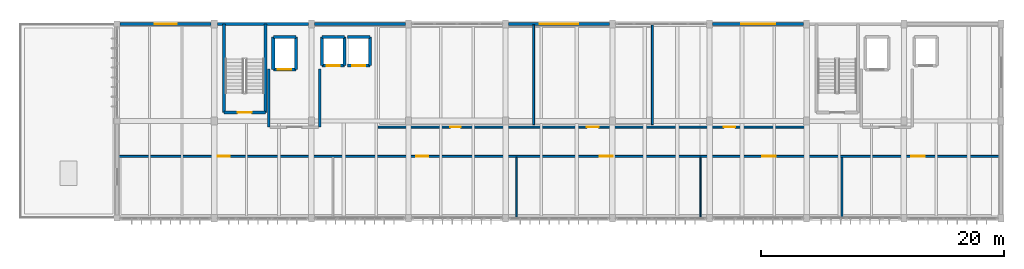
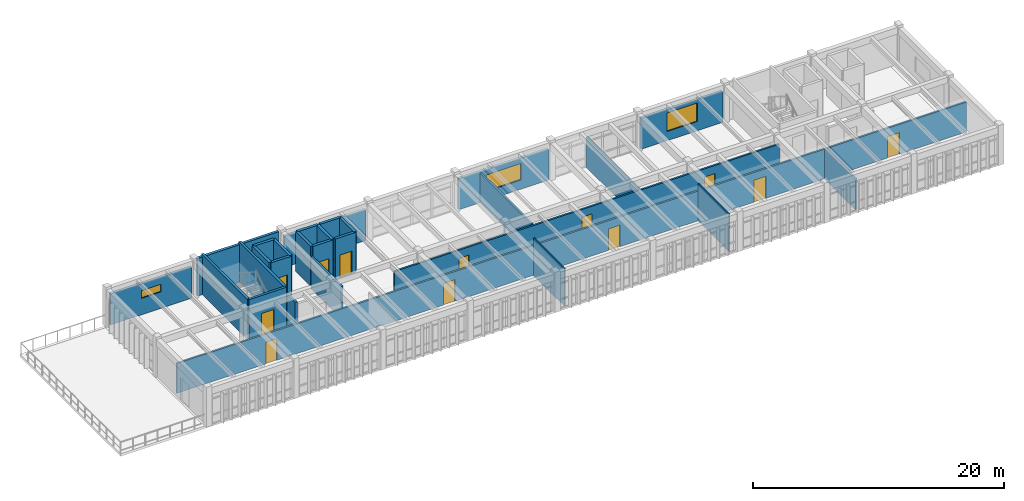
# One storey, part 11 of 15: 28 walls, 12 doors, 3 windows, 15 openings.
"""IFC4 building model written with IfcOpenShell, lengths in metres."""

from ifc_helpers import new_model, si_unit, direction, frame, frame_2d, origin, place, context, subcontext, project, spatial, rectangle, extrude, material, layer, layer_set, type_object, element, fill, save


model = new_model("IFC4")

# Units and contexts
model_context = context("Model", 3, precision=1e-05, world=origin(), true_north=direction((0.0, 1.0)))
body_context = subcontext(model_context, "Body", "Model", "MODEL_VIEW")
ifc_project = project(units=[si_unit("LENGTHUNIT", "METRE"), si_unit("AREAUNIT", "SQUARE_METRE"), si_unit("VOLUMEUNIT", "CUBIC_METRE"), si_unit("PLANEANGLEUNIT", "RADIAN"), si_unit("MASSUNIT", "GRAM", prefix="KILO")], contexts=[model_context])

# Site, building, storey
site_placement = place(None, origin())
site = spatial("IfcSite", under=ifc_project, at=site_placement, CompositionType="ELEMENT")
building_placement = place(site_placement, origin())
building = spatial("IfcBuilding", under=site, at=building_placement, Name="Tlaxcora Railside Police Headquarters", CompositionType="ELEMENT")
storey_placement = place(building_placement, frame((0.0, 0.0, 25.800048828125)))
storey = spatial("IfcBuildingStorey", under=building, at=storey_placement, Name="L06", CompositionType="ELEMENT", Elevation=25.800048828125)

# Walls
ifc_material_1 = material(Name="Gypsum acoustic partition board")
ifc_layer_1 = layer(ifc_material_1, 0.10791015625, Name="Gypsum acoustic partition board")
ifc_layer_set_1 = layer_set([ifc_layer_1], Name="Gypsum acoustic partition board")
wall_type_1 = type_object("IfcWallType", Name="Interior Partition Wall IW-19", PredefinedType="PARTITIONING", material=ifc_layer_set_1)
wall_1_placement = place(storey_placement, frame((46.10693359375, 76.8798828125, 0.0), z_axis=(0.0, 0.0, 1.0), x_axis=(0.0, 1.0, 0.0)))
element("IfcWall", 1, at=wall_1_placement, inside=storey, type_object=wall_type_1, Name="V5 L06 interior partition 242", PredefinedType="PARTITIONING", context=body_context, shape_type="SweptSolid", body=[
    extrude(rectangle(XDim=4.920166015625, YDim=0.10791015625, at=frame_2d((2.4599609375, 0.0))), origin(), (0.0, 0.0, 1.0), 3.659912109375),
])
ifc_layer_2 = layer(ifc_material_1, 0.16796875, Name="Gypsum acoustic partition board")
ifc_layer_set_2 = layer_set([ifc_layer_2], Name="Gypsum acoustic partition board")
wall_type_2 = type_object("IfcWallType", Name="Interior Partition Wall IW-31", PredefinedType="PARTITIONING", material=ifc_layer_set_2)
wall_2_placement = place(storey_placement, frame((72.89111328125, 76.8798828125, 0.0), z_axis=(0.0, 0.0, 1.0), x_axis=(0.0, 1.0, 0.0)))
element("IfcWall", 2, at=wall_2_placement, inside=storey, type_object=wall_type_2, Name="V5 L06 interior partition 244", PredefinedType="PARTITIONING", context=body_context, shape_type="SweptSolid", body=[
    extrude(rectangle(XDim=4.920166015625, YDim=0.16796875, at=frame_2d((2.4599609375, 0.0))), origin(), (0.0, 0.0, 1.0), 2.994873046875),
])
ifc_layer_3 = layer(ifc_material_1, 0.10009765625, Name="Gypsum acoustic partition board")
ifc_layer_set_3 = layer_set([ifc_layer_3], Name="Gypsum acoustic partition board")
wall_type_3 = type_object("IfcWallType", Name="Interior Partition Wall IW-45", PredefinedType="PARTITIONING", material=ifc_layer_set_3)
wall_3_placement = place(storey_placement, frame((61.24609375, 76.8798828125, 0.0), z_axis=(0.0, 0.0, 1.0), x_axis=(0.0, 1.0, 0.0)))
element("IfcWall", 3, at=wall_3_placement, inside=storey, type_object=wall_type_3, Name="V5 L06 interior partition 243", PredefinedType="PARTITIONING", context=body_context, shape_type="SweptSolid", body=[
    extrude(rectangle(XDim=4.920166015625, YDim=0.10009765625, at=frame_2d((2.4599609375, 0.0))), origin(), (0.0, 0.0, 1.0), 3.659912109375),
])
ifc_material_2 = material(Name="Pressed clay brick masonry", Category="masonry")
ifc_layer_4 = layer(ifc_material_2, 0.199951171875, Name="Pressed clay brick masonry")
ifc_layer_set_4 = layer_set([ifc_layer_4], Name="Pressed clay brick masonry")
wall_type_4 = type_object("IfcWallType", Name="Interior Partition Wall IW-60", PredefinedType="PARTITIONING", material=ifc_layer_set_4)
wall_4_placement = place(storey_placement, frame((25.699951171875, 84.300048828125, 0.0), z_axis=(0.0, 0.0, 1.0), x_axis=(0.0, 1.0, 0.0)))
element("IfcWall", 4, at=wall_4_placement, inside=storey, type_object=wall_type_4, Name="V5 L06 interior partition 236", PredefinedType="PARTITIONING", context=body_context, shape_type="SweptSolid", body=[
    extrude(rectangle(XDim=4.800048828125, YDim=0.199951171875, at=frame_2d((2.39990234375, 0.0))), origin(), (0.0, 0.0, 1.0), 3.044921875),
])
wall_5_placement = place(storey_placement, frame((29.89990234375, 84.300048828125, 0.0), z_axis=(0.0, 0.0, 1.0), x_axis=(0.0, 1.0, 0.0)))
element("IfcWall", 5, at=wall_5_placement, inside=storey, type_object=wall_type_4, Name="V5 L06 interior partition 237", PredefinedType="PARTITIONING", context=body_context, shape_type="SweptSolid", body=[
    extrude(rectangle(XDim=4.800048828125, YDim=0.199951171875, at=frame_2d((2.39990234375, 0.0))), origin(), (0.0, 0.0, 1.0), 3.094970703125),
])

# Wall, openings, doors
ifc_layer_5 = layer(ifc_material_1, 0.159912109375, Name="Gypsum acoustic partition board")
ifc_layer_set_5 = layer_set([ifc_layer_5], Name="Gypsum acoustic partition board")
wall_type_5 = type_object("IfcWallType", Name="Interior Partition Wall IW-73", PredefinedType="PARTITIONING", material=ifc_layer_set_5)
wall_6_placement = place(storey_placement, frame((13.280029296875, 81.89990234375, 0.0), z_axis=(0.0, 0.0, 1.0), x_axis=(1.0, 0.0, 0.0)))
wall_6 = element("IfcWall", 6, at=wall_6_placement, inside=storey, type_object=wall_type_5, Name="V5 L06 interior partition 245", PredefinedType="PARTITIONING", context=body_context, shape_type="SweptSolid", body=[
    extrude(rectangle(XDim=72.639892578125, YDim=0.159912109375, at=frame_2d((36.31982421875, 0.0))), origin(), (0.0, 0.0, 1.0), 2.89501953125),
])
opening_1_placement = place(wall_6_placement, frame((8.18994140625, 0.0, 0.0)))
opening_1 = element("IfcOpeningElement", 7, at=opening_1_placement, cuts=wall_6, Name="Opening D-L06-257", PredefinedType="OPENING", context=body_context, shape_type="SweptSolid", body=[
    extrude(rectangle(XDim=1.0, YDim=2.10009765625, at=frame_2d((0.5, 1.050048828125))), frame((0.0, 0.08984375, 0.0), z_axis=(0.0, -1.0, 0.0), x_axis=(1.0, 0.0, 0.0)), (0.0, 0.0, 1.0), 0.179931640625),
])
opening_2_placement = place(wall_6_placement, frame((24.5400390625, 0.0, 0.0)))
opening_2 = element("IfcOpeningElement", 8, at=opening_2_placement, cuts=wall_6, Name="Opening D-L06-258", PredefinedType="OPENING", context=body_context, shape_type="SweptSolid", body=[
    extrude(rectangle(XDim=1.02001953125, YDim=2.1201171875, at=frame_2d((0.510009765625, 1.06005859375))), frame((0.0, 0.08984375, 0.0), z_axis=(0.0, -1.0, 0.0), x_axis=(1.0, 0.0, 0.0)), (0.0, 0.0, 1.0), 0.179931640625),
])
opening_3_placement = place(wall_6_placement, frame((39.679931640625, 0.0, 0.0)))
opening_3 = element("IfcOpeningElement", 9, at=opening_3_placement, cuts=wall_6, Name="Opening D-L06-259", PredefinedType="OPENING", context=body_context, shape_type="SweptSolid", body=[
    extrude(rectangle(XDim=1.050048828125, YDim=2.10009765625, at=frame_2d((0.52490234375, 1.050048828125))), frame((0.0, 0.08984375, 0.0), z_axis=(0.0, -1.0, 0.0), x_axis=(1.0, 0.0, 0.0)), (0.0, 0.0, 1.0), 0.179931640625),
])
opening_4_placement = place(wall_6_placement, frame((53.070068359375, 0.0, 0.0)))
opening_4 = element("IfcOpeningElement", 10, at=opening_4_placement, cuts=wall_6, Name="Opening D-L06-260", PredefinedType="OPENING", context=body_context, shape_type="SweptSolid", body=[
    extrude(rectangle(XDim=1.080078125, YDim=2.139892578125, at=frame_2d((0.5400390625, 1.06982421875))), frame((0.0, 0.08984375, 0.0), z_axis=(0.0, -1.0, 0.0), x_axis=(1.0, 0.0, 0.0)), (0.0, 0.0, 1.0), 0.179931640625),
])
opening_5_placement = place(wall_6_placement, frame((65.340087890625, 0.0, 0.0)))
opening_5 = element("IfcOpeningElement", 11, at=opening_5_placement, cuts=wall_6, Name="Opening D-L06-261", PredefinedType="OPENING", context=body_context, shape_type="SweptSolid", body=[
    extrude(rectangle(XDim=1.10009765625, YDim=2.10009765625, at=frame_2d((0.550048828125, 1.050048828125))), frame((0.0, 0.08984375, 0.0), z_axis=(0.0, -1.0, 0.0), x_axis=(1.0, 0.0, 0.0)), (0.0, 0.0, 1.0), 0.179931640625),
])
ifc_material_3 = material(Name="Steel ASTM A992 Grade 50", Category="steel")
door_type_1 = type_object("IfcDoorType", Name="Swing or Sliding Personnel Door ID-20", OperationType="NOTDEFINED", PredefinedType="DOOR", material=ifc_material_3)
door_1_placement = place(opening_4_placement, origin())
door_1 = element("IfcDoor", 12, at=door_1_placement, inside=storey, type_object=door_type_1, Name="V5 L06 door D-L06-260", OperationType="SINGLE_SWING_LEFT", OverallHeight=2.139892578125, OverallWidth=1.080078125, PredefinedType="DOOR", context=body_context, shape_type="SweptSolid", body=[
    extrude(rectangle(XDim=1.080078125, YDim=2.139892578125, at=frame_2d((0.5400390625, 1.06982421875))), frame((0.0, 0.02490234375, 0.0), z_axis=(0.0, -1.0, 0.0), x_axis=(1.0, 0.0, 0.0)), (0.0, 0.0, 1.0), 0.050048828125),
])
fill(opening_4, door_1)
door_type_2 = type_object("IfcDoorType", Name="Swing or Sliding Personnel Door ID-48", OperationType="NOTDEFINED", PredefinedType="DOOR", material=ifc_material_3)
door_2_placement = place(opening_2_placement, origin())
door_2 = element("IfcDoor", 13, at=door_2_placement, inside=storey, type_object=door_type_2, Name="V5 L06 door D-L06-258", OperationType="SINGLE_SWING_LEFT", OverallHeight=2.1201171875, OverallWidth=1.02001953125, PredefinedType="DOOR", context=body_context, shape_type="SweptSolid", body=[
    extrude(rectangle(XDim=1.02001953125, YDim=2.1201171875, at=frame_2d((0.510009765625, 1.06005859375))), frame((0.0, 0.02490234375, 0.0), z_axis=(0.0, -1.0, 0.0), x_axis=(1.0, 0.0, 0.0)), (0.0, 0.0, 1.0), 0.050048828125),
])
fill(opening_2, door_2)
door_type_3 = type_object("IfcDoorType", Name="Swing or Sliding Personnel Door ID-52", OperationType="NOTDEFINED", PredefinedType="DOOR", material=ifc_material_3)
door_3_placement = place(opening_3_placement, origin())
door_3 = element("IfcDoor", 14, at=door_3_placement, inside=storey, type_object=door_type_3, Name="V5 L06 door D-L06-259", OperationType="SINGLE_SWING_RIGHT", OverallHeight=2.10009765625, OverallWidth=1.050048828125, PredefinedType="DOOR", context=body_context, shape_type="SweptSolid", body=[
    extrude(rectangle(XDim=1.050048828125, YDim=2.10009765625, at=frame_2d((0.52490234375, 1.050048828125))), frame((0.0, 0.02490234375, 0.0), z_axis=(0.0, -1.0, 0.0), x_axis=(1.0, 0.0, 0.0)), (0.0, 0.0, 1.0), 0.050048828125),
])
fill(opening_3, door_3)
door_type_4 = type_object("IfcDoorType", Name="Swing or Sliding Personnel Door ID-66", OperationType="NOTDEFINED", PredefinedType="DOOR", material=ifc_material_3)
door_4_placement = place(opening_5_placement, origin())
door_4 = element("IfcDoor", 15, at=door_4_placement, inside=storey, type_object=door_type_4, Name="V5 L06 door D-L06-261", OperationType="SINGLE_SWING_RIGHT", OverallHeight=2.10009765625, OverallWidth=1.10009765625, PredefinedType="DOOR", context=body_context, shape_type="SweptSolid", body=[
    extrude(rectangle(XDim=1.10009765625, YDim=2.10009765625, at=frame_2d((0.550048828125, 1.050048828125))), frame((0.0, 0.02490234375, 0.0), z_axis=(0.0, -1.0, 0.0), x_axis=(1.0, 0.0, 0.0)), (0.0, 0.0, 1.0), 0.050048828125),
])
fill(opening_5, door_4)
door_type_5 = type_object("IfcDoorType", Name="Swing or Sliding Personnel Door ID-89", OperationType="NOTDEFINED", PredefinedType="DOOR", material=ifc_material_3)
door_5_placement = place(opening_1_placement, origin())
door_5 = element("IfcDoor", 16, at=door_5_placement, inside=storey, type_object=door_type_5, Name="V5 L06 door D-L06-257", OperationType="SINGLE_SWING_RIGHT", OverallHeight=2.10009765625, OverallWidth=1.0, PredefinedType="DOOR", context=body_context, shape_type="SweptSolid", body=[
    extrude(rectangle(XDim=1.0, YDim=2.10009765625, at=frame_2d((0.5, 1.050048828125))), frame((0.0, 0.02490234375, 0.0), z_axis=(0.0, -1.0, 0.0), x_axis=(1.0, 0.0, 0.0)), (0.0, 0.0, 1.0), 0.050048828125),
])
fill(opening_1, door_5)

# Walls
wall_7_placement = place(storey_placement, frame((47.510986328125, 84.5, 0.0), z_axis=(0.0, 0.0, 1.0), x_axis=(0.0, 1.0, 0.0)))
element("IfcWall", 17, at=wall_7_placement, inside=storey, type_object=wall_type_5, Name="V5 L06 interior partition 246", PredefinedType="PARTITIONING", context=body_context, shape_type="SweptSolid", body=[
    extrude(rectangle(XDim=8.219970703125, YDim=0.159912109375, at=frame_2d((4.10986328125, 0.0))), origin(), (0.0, 0.0, 1.0), 2.89501953125),
])
wall_8_placement = place(storey_placement, frame((57.2890625, 84.5, 0.0), z_axis=(0.0, 0.0, 1.0), x_axis=(0.0, 1.0, 0.0)))
element("IfcWall", 18, at=wall_8_placement, inside=storey, type_object=wall_type_5, Name="V5 L06 interior partition 247", PredefinedType="PARTITIONING", context=body_context, shape_type="SweptSolid", body=[
    extrude(rectangle(XDim=8.219970703125, YDim=0.159912109375, at=frame_2d((4.10986328125, 0.0))), origin(), (0.0, 0.0, 1.0), 2.945068359375),
])

# Wall, openings, doors
wall_9_placement = place(storey_placement, frame((34.699951171875, 84.300048828125, 0.0), z_axis=(0.0, 0.0, 1.0), x_axis=(1.0, 0.0, 0.0)))
wall_9 = element("IfcWall", 19, at=wall_9_placement, inside=storey, type_object=wall_type_5, Name="V5 L06 interior partition 248", PredefinedType="PARTITIONING", context=body_context, shape_type="SweptSolid", body=[
    extrude(rectangle(XDim=35.400146484375, YDim=0.159912109375, at=frame_2d((17.7001953125, 0.0))), origin(), (0.0, 0.0, 1.0), 2.89501953125),
])
opening_6_placement = place(wall_9_placement, frame((5.919921875, 0.0, 0.0)))
opening_6 = element("IfcOpeningElement", 20, at=opening_6_placement, cuts=wall_9, Name="Opening D-L06-262", PredefinedType="OPENING", context=body_context, shape_type="SweptSolid", body=[
    extrude(rectangle(XDim=0.89990234375, YDim=2.10009765625, at=frame_2d((0.449951171875, 1.050048828125))), frame((0.0, 0.08984375, 0.0), z_axis=(0.0, -1.0, 0.0), x_axis=(1.0, 0.0, 0.0)), (0.0, 0.0, 1.0), 0.179931640625),
])
opening_7_placement = place(wall_9_placement, frame((17.199951171875, 0.0, 0.0)))
opening_7 = element("IfcOpeningElement", 21, at=opening_7_placement, cuts=wall_9, Name="Opening D-L06-263", PredefinedType="OPENING", context=body_context, shape_type="SweptSolid", body=[
    extrude(rectangle(XDim=0.949951171875, YDim=2.14990234375, at=frame_2d((0.47509765625, 1.074951171875))), frame((0.0, 0.08984375, 0.0), z_axis=(0.0, -1.0, 0.0), x_axis=(1.0, 0.0, 0.0)), (0.0, 0.0, 1.0), 0.179931640625),
])
opening_8_placement = place(wall_9_placement, frame((28.47998046875, 0.0, 0.0)))
opening_8 = element("IfcOpeningElement", 22, at=opening_8_placement, cuts=wall_9, Name="Opening D-L06-264", PredefinedType="OPENING", context=body_context, shape_type="SweptSolid", body=[
    extrude(rectangle(XDim=0.949951171875, YDim=2.10009765625, at=frame_2d((0.47509765625, 1.050048828125))), frame((0.0, 0.08984375, 0.0), z_axis=(0.0, -1.0, 0.0), x_axis=(1.0, 0.0, 0.0)), (0.0, 0.0, 1.0), 0.179931640625),
])
door_type_6 = type_object("IfcDoorType", Name="Swing or Sliding Personnel Door ID-31", OperationType="NOTDEFINED", PredefinedType="DOOR", material=ifc_material_3)
door_6_placement = place(opening_7_placement, origin())
door_6 = element("IfcDoor", 23, at=door_6_placement, inside=storey, type_object=door_type_6, Name="V5 L06 door D-L06-263", OperationType="SINGLE_SWING_RIGHT", OverallHeight=2.14990234375, OverallWidth=0.949951171875, PredefinedType="DOOR", context=body_context, shape_type="SweptSolid", body=[
    extrude(rectangle(XDim=0.949951171875, YDim=2.14990234375, at=frame_2d((0.47509765625, 1.074951171875))), frame((0.0, 0.02490234375, 0.0), z_axis=(0.0, -1.0, 0.0), x_axis=(1.0, 0.0, 0.0)), (0.0, 0.0, 1.0), 0.050048828125),
])
fill(opening_7, door_6)
door_type_7 = type_object("IfcDoorType", Name="Swing or Sliding Personnel Door ID-33", OperationType="NOTDEFINED", PredefinedType="DOOR", material=ifc_material_3)
door_7_placement = place(opening_6_placement, origin())
door_7 = element("IfcDoor", 24, at=door_7_placement, inside=storey, type_object=door_type_7, Name="V5 L06 door D-L06-262", OperationType="SINGLE_SWING_LEFT", OverallHeight=2.10009765625, OverallWidth=0.89990234375, PredefinedType="DOOR", context=body_context, shape_type="SweptSolid", body=[
    extrude(rectangle(XDim=0.89990234375, YDim=2.10009765625, at=frame_2d((0.449951171875, 1.050048828125))), frame((0.0, 0.02490234375, 0.0), z_axis=(0.0, -1.0, 0.0), x_axis=(1.0, 0.0, 0.0)), (0.0, 0.0, 1.0), 0.050048828125),
])
fill(opening_6, door_7)
door_type_8 = type_object("IfcDoorType", Name="Swing or Sliding Personnel Door ID-87", OperationType="NOTDEFINED", PredefinedType="DOOR", material=ifc_material_3)
door_8_placement = place(opening_8_placement, origin())
door_8 = element("IfcDoor", 25, at=door_8_placement, inside=storey, type_object=door_type_8, Name="V5 L06 door D-L06-264", OperationType="SINGLE_SWING_LEFT", OverallHeight=2.10009765625, OverallWidth=0.949951171875, PredefinedType="DOOR", context=body_context, shape_type="SweptSolid", body=[
    extrude(rectangle(XDim=0.949951171875, YDim=2.10009765625, at=frame_2d((0.47509765625, 1.050048828125))), frame((0.0, 0.02490234375, 0.0), z_axis=(0.0, -1.0, 0.0), x_axis=(1.0, 0.0, 0.0)), (0.0, 0.0, 1.0), 0.050048828125),
])
fill(opening_8, door_8)

# Wall, opening, door
ifc_material_4 = material(Name="Concrete C40/50", Category="concrete")
ifc_layer_6 = layer(ifc_material_4, 0.25, Name="Concrete C40/50")
ifc_layer_set_6 = layer_set([ifc_layer_6], Name="Concrete C40/50")
wall_type_6 = type_object("IfcWallType", Name="Shear Core Wall IW-13", PredefinedType="SHEAR", material=ifc_layer_set_6)
wall_10_placement = place(storey_placement, frame((26.06005859375, 89.06005859375, 0.0), z_axis=(0.0, 0.0, 1.0), x_axis=(1.0, 0.0, 0.0)))
wall_10 = element("IfcWall", 26, at=wall_10_placement, inside=storey, type_object=wall_type_6, Name="Lift FFL-01 L06 shaft wall S", PredefinedType="SHEAR", context=body_context, shape_type="SweptSolid", body=[
    extrude(rectangle(XDim=1.8798828125, YDim=0.25, at=frame_2d((0.93994140625, 0.0))), origin(), (0.0, 0.0, 1.0), 3.89990234375),
])
opening_9_placement = place(wall_10_placement, frame((0.389892578125, 0.0, 0.0)))
opening_9 = element("IfcOpeningElement", 27, at=opening_9_placement, cuts=wall_10, Name="Opening LD-FFL-01-L06", PredefinedType="OPENING", context=body_context, shape_type="SweptSolid", body=[
    extrude(rectangle(XDim=1.10009765625, YDim=2.199951171875, at=frame_2d((0.550048828125, 1.10009765625))), frame((0.0, 0.135009765625, 0.0), z_axis=(0.0, -1.0, 0.0), x_axis=(1.0, 0.0, 0.0)), (0.0, 0.0, 1.0), 0.27001953125),
])
door_type_9 = type_object("IfcDoorType", Name="Swing or Sliding Personnel Door ID-15", OperationType="NOTDEFINED", PredefinedType="DOOR", material=ifc_material_3)
door_9_placement = place(opening_9_placement, origin())
door_9 = element("IfcDoor", 28, at=door_9_placement, inside=storey, type_object=door_type_9, Name="Lift FFL-01 L06 sliding landing door", OperationType="DOUBLE_DOOR_SLIDING", OverallHeight=2.199951171875, OverallWidth=1.10009765625, PredefinedType="DOOR", context=body_context, shape_type="SweptSolid", body=[
    extrude(rectangle(XDim=1.10009765625, YDim=2.199951171875, at=frame_2d((0.550048828125, 1.10009765625))), frame((0.0, 0.02490234375, 0.0), z_axis=(0.0, -1.0, 0.0), x_axis=(1.0, 0.0, 0.0)), (0.0, 0.0, 1.0), 0.050048828125),
])
fill(opening_9, door_9)

# Walls
wall_11_placement = place(storey_placement, frame((27.93994140625, 89.06005859375, 0.0), z_axis=(0.0, 0.0, 1.0), x_axis=(0.0, 1.0, 0.0)))
element("IfcWall", 29, at=wall_11_placement, inside=storey, type_object=wall_type_6, Name="Lift FFL-01 L06 shaft wall E", PredefinedType="SHEAR", context=body_context, shape_type="SweptSolid", body=[
    extrude(rectangle(XDim=2.679931640625, YDim=0.25, at=frame_2d((1.33984375, 0.0))), origin(), (0.0, 0.0, 1.0), 3.89990234375),
])
wall_12_placement = place(storey_placement, frame((27.93994140625, 91.739990234375, 0.0), z_axis=(0.0, 0.0, 1.0), x_axis=(-1.0, 0.0, 0.0)))
element("IfcWall", 30, at=wall_12_placement, inside=storey, type_object=wall_type_6, Name="Lift FFL-01 L06 shaft wall N", PredefinedType="SHEAR", context=body_context, shape_type="SweptSolid", body=[
    extrude(rectangle(XDim=1.8798828125, YDim=0.25, at=frame_2d((0.93994140625, 0.0))), origin(), (0.0, 0.0, 1.0), 3.89990234375),
])
wall_13_placement = place(storey_placement, frame((26.06005859375, 91.739990234375, 0.0), z_axis=(0.0, 0.0, 1.0), x_axis=(0.0, -1.0, 0.0)))
element("IfcWall", 31, at=wall_13_placement, inside=storey, type_object=wall_type_6, Name="Lift FFL-01 L06 shaft wall W", PredefinedType="SHEAR", context=body_context, shape_type="SweptSolid", body=[
    extrude(rectangle(XDim=2.679931640625, YDim=0.25, at=frame_2d((1.33984375, 0.0))), origin(), (0.0, 0.0, 1.0), 3.89990234375),
])

# Wall, opening, door
wall_14_placement = place(storey_placement, frame((30.06005859375, 89.360107421875, 0.0), z_axis=(0.0, 0.0, 1.0), x_axis=(1.0, 0.0, 0.0)))
wall_14 = element("IfcWall", 32, at=wall_14_placement, inside=storey, type_object=wall_type_6, Name="Lift PL-01 L06 shaft wall S", PredefinedType="SHEAR", context=body_context, shape_type="SweptSolid", body=[
    extrude(rectangle(XDim=1.8798828125, YDim=0.25, at=frame_2d((0.93994140625, 0.0))), origin(), (0.0, 0.0, 1.0), 3.89990234375),
])
opening_10_placement = place(wall_14_placement, frame((0.389892578125, 0.0, 0.0)))
opening_10 = element("IfcOpeningElement", 33, at=opening_10_placement, cuts=wall_14, Name="Opening LD-PL-01-L06", PredefinedType="OPENING", context=body_context, shape_type="SweptSolid", body=[
    extrude(rectangle(XDim=1.10009765625, YDim=2.199951171875, at=frame_2d((0.550048828125, 1.10009765625))), frame((0.0, 0.135009765625, 0.0), z_axis=(0.0, -1.0, 0.0), x_axis=(1.0, 0.0, 0.0)), (0.0, 0.0, 1.0), 0.27001953125),
])
door_10_placement = place(opening_10_placement, origin())
door_10 = element("IfcDoor", 34, at=door_10_placement, inside=storey, type_object=door_type_9, Name="Lift PL-01 L06 sliding landing door", OperationType="DOUBLE_DOOR_SLIDING", OverallHeight=2.199951171875, OverallWidth=1.10009765625, PredefinedType="DOOR", context=body_context, shape_type="SweptSolid", body=[
    extrude(rectangle(XDim=1.10009765625, YDim=2.199951171875, at=frame_2d((0.550048828125, 1.10009765625))), frame((0.0, 0.02490234375, 0.0), z_axis=(0.0, -1.0, 0.0), x_axis=(1.0, 0.0, 0.0)), (0.0, 0.0, 1.0), 0.050048828125),
])
fill(opening_10, door_10)

# Walls
wall_15_placement = place(storey_placement, frame((31.93994140625, 89.360107421875, 0.0), z_axis=(0.0, 0.0, 1.0), x_axis=(0.0, 1.0, 0.0)))
element("IfcWall", 35, at=wall_15_placement, inside=storey, type_object=wall_type_6, Name="Lift PL-01 L06 shaft wall E", PredefinedType="SHEAR", context=body_context, shape_type="SweptSolid", body=[
    extrude(rectangle(XDim=2.3798828125, YDim=0.25, at=frame_2d((1.18994140625, 0.0))), origin(), (0.0, 0.0, 1.0), 3.89990234375),
])
wall_16_placement = place(storey_placement, frame((31.93994140625, 91.739990234375, 0.0), z_axis=(0.0, 0.0, 1.0), x_axis=(-1.0, 0.0, 0.0)))
element("IfcWall", 36, at=wall_16_placement, inside=storey, type_object=wall_type_6, Name="Lift PL-01 L06 shaft wall N", PredefinedType="SHEAR", context=body_context, shape_type="SweptSolid", body=[
    extrude(rectangle(XDim=1.8798828125, YDim=0.25, at=frame_2d((0.93994140625, 0.0))), origin(), (0.0, 0.0, 1.0), 3.89990234375),
])
wall_17_placement = place(storey_placement, frame((30.06005859375, 91.739990234375, 0.0), z_axis=(0.0, 0.0, 1.0), x_axis=(0.0, -1.0, 0.0)))
element("IfcWall", 37, at=wall_17_placement, inside=storey, type_object=wall_type_6, Name="Lift PL-01 L06 shaft wall W", PredefinedType="SHEAR", context=body_context, shape_type="SweptSolid", body=[
    extrude(rectangle(XDim=2.3798828125, YDim=0.25, at=frame_2d((1.18994140625, 0.0))), origin(), (0.0, 0.0, 1.0), 3.89990234375),
])

# Wall, opening, door
wall_18_placement = place(storey_placement, frame((32.159912109375, 89.360107421875, 0.0), z_axis=(0.0, 0.0, 1.0), x_axis=(1.0, 0.0, 0.0)))
wall_18 = element("IfcWall", 38, at=wall_18_placement, inside=storey, type_object=wall_type_6, Name="Lift PL-02 L06 shaft wall S", PredefinedType="SHEAR", context=body_context, shape_type="SweptSolid", body=[
    extrude(rectangle(XDim=1.880126953125, YDim=0.25, at=frame_2d((0.93994140625, 0.0))), origin(), (0.0, 0.0, 1.0), 3.89990234375),
])
opening_11_placement = place(wall_18_placement, frame((0.389892578125, 0.0, 0.0)))
opening_11 = element("IfcOpeningElement", 39, at=opening_11_placement, cuts=wall_18, Name="Opening LD-PL-02-L06", PredefinedType="OPENING", context=body_context, shape_type="SweptSolid", body=[
    extrude(rectangle(XDim=1.10009765625, YDim=2.199951171875, at=frame_2d((0.550048828125, 1.10009765625))), frame((0.0, 0.135009765625, 0.0), z_axis=(0.0, -1.0, 0.0), x_axis=(1.0, 0.0, 0.0)), (0.0, 0.0, 1.0), 0.27001953125),
])
door_11_placement = place(opening_11_placement, origin())
door_11 = element("IfcDoor", 40, at=door_11_placement, inside=storey, type_object=door_type_9, Name="Lift PL-02 L06 sliding landing door", OperationType="DOUBLE_DOOR_SLIDING", OverallHeight=2.199951171875, OverallWidth=1.10009765625, PredefinedType="DOOR", context=body_context, shape_type="SweptSolid", body=[
    extrude(rectangle(XDim=1.10009765625, YDim=2.199951171875, at=frame_2d((0.550048828125, 1.10009765625))), frame((0.0, 0.02490234375, 0.0), z_axis=(0.0, -1.0, 0.0), x_axis=(1.0, 0.0, 0.0)), (0.0, 0.0, 1.0), 0.050048828125),
])
fill(opening_11, door_11)

# Walls
wall_19_placement = place(storey_placement, frame((34.0400390625, 89.360107421875, 0.0), z_axis=(0.0, 0.0, 1.0), x_axis=(0.0, 1.0, 0.0)))
element("IfcWall", 41, at=wall_19_placement, inside=storey, type_object=wall_type_6, Name="Lift PL-02 L06 shaft wall E", PredefinedType="SHEAR", context=body_context, shape_type="SweptSolid", body=[
    extrude(rectangle(XDim=2.3798828125, YDim=0.25, at=frame_2d((1.18994140625, 0.0))), origin(), (0.0, 0.0, 1.0), 3.89990234375),
])
wall_20_placement = place(storey_placement, frame((34.0400390625, 91.739990234375, 0.0), z_axis=(0.0, 0.0, 1.0), x_axis=(-1.0, 0.0, 0.0)))
element("IfcWall", 42, at=wall_20_placement, inside=storey, type_object=wall_type_6, Name="Lift PL-02 L06 shaft wall N", PredefinedType="SHEAR", context=body_context, shape_type="SweptSolid", body=[
    extrude(rectangle(XDim=1.880126953125, YDim=0.25, at=frame_2d((0.93994140625, 0.0))), origin(), (0.0, 0.0, 1.0), 3.89990234375),
])

# Wall, opening, door
ifc_layer_7 = layer(ifc_material_4, 0.219970703125, Name="Concrete C40/50")
ifc_layer_set_7 = layer_set([ifc_layer_7], Name="Concrete C40/50")
wall_type_7 = type_object("IfcWallType", Name="Shear Core Wall IW-35", PredefinedType="SHEAR", material=ifc_layer_set_7)
wall_21_placement = place(storey_placement, frame((22.0, 85.5, 0.0), z_axis=(0.0, 0.0, 1.0), x_axis=(1.0, 0.0, 0.0)))
wall_21 = element("IfcWall", 43, at=wall_21_placement, inside=storey, type_object=wall_type_7, Name="CORE-C1 L06 stair core wall S", PredefinedType="SHEAR", context=body_context, shape_type="SweptSolid", body=[
    extrude(rectangle(XDim=3.419921875, YDim=0.219970703125, at=frame_2d((1.7099609375, 0.0))), origin(), (0.0, 0.0, 1.0), 3.89990234375),
])
opening_12_placement = place(wall_21_placement, frame((1.135009765625, 0.0, 0.0)))
opening_12 = element("IfcOpeningElement", 44, at=opening_12_placement, cuts=wall_21, Name="Opening SD-L06-008", PredefinedType="OPENING", context=body_context, shape_type="SweptSolid", body=[
    extrude(rectangle(XDim=1.14990234375, YDim=2.14990234375, at=frame_2d((0.574951171875, 1.074951171875))), frame((0.0, 0.1201171875, 0.0), z_axis=(0.0, -1.0, 0.0), x_axis=(1.0, 0.0, 0.0)), (0.0, 0.0, 1.0), 0.239990234375),
])
door_type_10 = type_object("IfcDoorType", Name="Swing or Sliding Personnel Door ID-73", OperationType="NOTDEFINED", PredefinedType="DOOR", material=ifc_material_3)
door_12_placement = place(opening_12_placement, origin())
door_12 = element("IfcDoor", 45, at=door_12_placement, inside=storey, type_object=door_type_10, Name="Stair ST1 L06 enclosure fire door", OperationType="SINGLE_SWING_RIGHT", OverallHeight=2.14990234375, OverallWidth=1.14990234375, PredefinedType="DOOR", context=body_context, shape_type="SweptSolid", body=[
    extrude(rectangle(XDim=1.14990234375, YDim=2.14990234375, at=frame_2d((0.574951171875, 1.074951171875))), frame((0.0, 0.02490234375, 0.0), z_axis=(0.0, -1.0, 0.0), x_axis=(1.0, 0.0, 0.0)), (0.0, 0.0, 1.0), 0.050048828125),
])
fill(opening_12, door_12)

# Walls
for number, where, z_axis, x_axis, name in (
    (46, (25.419921875, 85.5, 0.0), (0.0, 0.0, 1.0), (0.0, 1.0, 0.0), "CORE-C1 L06 stair core wall E"),
    (47, (22.0, 92.800048828125, 0.0), (0.0, 0.0, 1.0), (0.0, -1.0, 0.0), "CORE-C1 L06 stair core wall W"),
):
    element("IfcWall", number, at=place(storey_placement, frame(where, z_axis=z_axis, x_axis=x_axis)), inside=storey, type_object=wall_type_7, Name=name, PredefinedType="SHEAR", context=body_context, shape_type="SweptSolid", body=[
        extrude(rectangle(XDim=7.300048828125, YDim=0.219970703125, at=frame_2d((3.64990234375, 0.0))), origin(), (0.0, 0.0, 1.0), 3.89990234375),
    ])

# Wall, opening, window
ifc_material_5 = material(Name="Precast concrete C40/50", Category="concrete")
ifc_layer_8 = layer(ifc_material_5, 0.2451171875, Name="Precast concrete C40/50")
ifc_layer_set_8 = layer_set([ifc_layer_8], Name="Precast concrete C40/50")
wall_type_8 = type_object("IfcWallType", Name="Structural Bearing Wall EW-94", PredefinedType="SOLIDWALL", material=ifc_layer_set_8)
wall_22_placement = place(storey_placement, frame((69.75, 92.800048828125, 0.0), z_axis=(0.0, 0.0, 1.0), x_axis=(-1.0, 0.0, 0.0)))
wall_22 = element("IfcWall", 48, at=wall_22_placement, inside=storey, type_object=wall_type_8, Name="V5 L06 exterior wall 2.2", PredefinedType="SOLIDWALL", context=body_context, shape_type="SweptSolid", body=[
    extrude(rectangle(XDim=7.5, YDim=0.2451171875, at=frame_2d((3.75, 0.0))), origin(), (0.0, 0.0, 1.0), 3.010009765625),
])
opening_13_placement = place(wall_22_placement, frame((2.35009765625, 0.0, 0.89990234375)))
opening_13 = element("IfcOpeningElement", 49, at=opening_13_placement, cuts=wall_22, Name="Opening WN-44", PredefinedType="OPENING", context=body_context, shape_type="SweptSolid", body=[
    extrude(rectangle(XDim=2.800048828125, YDim=1.800048828125, at=frame_2d((1.39990234375, 0.89990234375))), frame((0.0, 0.132568359375, 0.0), z_axis=(0.0, -1.0, 0.0), x_axis=(1.0, 0.0, 0.0)), (0.0, 0.0, 1.0), 0.26513671875),
])
ifc_material_6 = material(Name="Thermally broken low-E insulated glazing", Category="glass")
window_type_1 = type_object("IfcWindowType", Name="Exterior Framed or Circular Window WN-44", PartitioningType="SINGLE_PANEL", PredefinedType="WINDOW", material=ifc_material_6)
window_1_placement = place(opening_13_placement, origin())
window_1 = element("IfcWindow", 50, at=window_1_placement, inside=storey, type_object=window_type_1, Name="V5 L06 window 150", OverallHeight=1.800048828125, OverallWidth=2.800048828125, PartitioningType="SINGLE_PANEL", PredefinedType="WINDOW", context=body_context, shape_type="SweptSolid", body=[
    extrude(rectangle(XDim=2.800048828125, YDim=1.800048828125, at=frame_2d((1.39990234375, 0.89990234375))), frame((0.0, 0.030029296875, 0.0), z_axis=(0.0, -1.0, 0.0), x_axis=(1.0, 0.0, 0.0)), (0.0, 0.0, 1.0), 0.06005859375),
])
fill(opening_13, window_1)

wall_23_placement = place(storey_placement, frame((53.75, 92.800048828125, 0.0), z_axis=(0.0, 0.0, 1.0), x_axis=(-1.0, 0.0, 0.0)))
wall_23 = element("IfcWall", 51, at=wall_23_placement, inside=storey, type_object=wall_type_8, Name="V5 L06 exterior wall 2.4", PredefinedType="SOLIDWALL", context=body_context, shape_type="SweptSolid", body=[
    extrude(rectangle(XDim=8.300048828125, YDim=0.2451171875, at=frame_2d((4.14990234375, 0.0))), origin(), (0.0, 0.0, 1.0), 3.010009765625),
])
opening_14_placement = place(wall_23_placement, frame((2.550048828125, 0.0, 0.89990234375)))
opening_14 = element("IfcOpeningElement", 52, at=opening_14_placement, cuts=wall_23, Name="Opening WN-47", PredefinedType="OPENING", context=body_context, shape_type="SweptSolid", body=[
    extrude(rectangle(XDim=3.199951171875, YDim=1.60009765625, at=frame_2d((1.60009765625, 0.800048828125))), frame((0.0, 0.132568359375, 0.0), z_axis=(0.0, -1.0, 0.0), x_axis=(1.0, 0.0, 0.0)), (0.0, 0.0, 1.0), 0.26513671875),
])
window_type_2 = type_object("IfcWindowType", Name="Exterior Framed or Circular Window WN-47", PartitioningType="SINGLE_PANEL", PredefinedType="WINDOW", material=ifc_material_6)
window_2_placement = place(opening_14_placement, origin())
window_2 = element("IfcWindow", 53, at=window_2_placement, inside=storey, type_object=window_type_2, Name="V5 L06 window 151", OverallHeight=1.60009765625, OverallWidth=3.199951171875, PartitioningType="SINGLE_PANEL", PredefinedType="WINDOW", context=body_context, shape_type="SweptSolid", body=[
    extrude(rectangle(XDim=3.199951171875, YDim=1.60009765625, at=frame_2d((1.60009765625, 0.800048828125))), frame((0.0, 0.030029296875, 0.0), z_axis=(0.0, -1.0, 0.0), x_axis=(1.0, 0.0, 0.0)), (0.0, 0.0, 1.0), 0.06005859375),
])
fill(opening_14, window_2)

# Walls
wall_24_placement = place(storey_placement, frame((36.949951171875, 92.800048828125, 0.0), z_axis=(0.0, 0.0, 1.0), x_axis=(-1.0, 0.0, 0.0)))
element("IfcWall", 54, at=wall_24_placement, inside=storey, type_object=wall_type_8, Name="V5 L06 exterior wall 2.6", PredefinedType="SOLIDWALL", context=body_context, shape_type="SweptSolid", body=[
    extrude(rectangle(XDim=7.5, YDim=0.2451171875, at=frame_2d((3.75, 0.0))), origin(), (0.0, 0.0, 1.0), 3.010009765625),
])
wall_25_placement = place(storey_placement, frame((28.949951171875, 92.800048828125, 0.0), z_axis=(0.0, 0.0, 1.0), x_axis=(-1.0, 0.0, 0.0)))
element("IfcWall", 55, at=wall_25_placement, inside=storey, type_object=wall_type_8, Name="V5 L06 exterior wall 2.7", PredefinedType="SOLIDWALL", context=body_context, shape_type="SweptSolid", body=[
    extrude(rectangle(XDim=7.5, YDim=0.2451171875, at=frame_2d((3.75, 0.0))), origin(), (0.0, 0.0, 1.0), 3.659912109375),
])

# Wall, opening, window
wall_26_placement = place(storey_placement, frame((20.949951171875, 92.800048828125, 0.0), z_axis=(0.0, 0.0, 1.0), x_axis=(-1.0, 0.0, 0.0)))
wall_26 = element("IfcWall", 56, at=wall_26_placement, inside=storey, type_object=wall_type_8, Name="V5 L06 exterior wall 2.8", PredefinedType="SOLIDWALL", context=body_context, shape_type="SweptSolid", body=[
    extrude(rectangle(XDim=7.5, YDim=0.2451171875, at=frame_2d((3.75, 0.0))), origin(), (0.0, 0.0, 1.0), 3.010009765625),
])
opening_15_placement = place(wall_26_placement, frame((2.85009765625, 0.0, 1.60009765625)))
opening_15 = element("IfcOpeningElement", 57, at=opening_15_placement, cuts=wall_26, Name="Opening WN-40", PredefinedType="OPENING", context=body_context, shape_type="SweptSolid", body=[
    extrude(rectangle(XDim=1.800048828125, YDim=0.75, at=frame_2d((0.89990234375, 0.375))), frame((0.0, 0.132568359375, 0.0), z_axis=(0.0, -1.0, 0.0), x_axis=(1.0, 0.0, 0.0)), (0.0, 0.0, 1.0), 0.26513671875),
])
window_type_3 = type_object("IfcWindowType", Name="Exterior Framed or Circular Window WN-40", PartitioningType="SINGLE_PANEL", PredefinedType="WINDOW", material=ifc_material_6)
window_3_placement = place(opening_15_placement, origin())
window_3 = element("IfcWindow", 58, at=window_3_placement, inside=storey, type_object=window_type_3, Name="V5 L06 window 152", OverallHeight=0.75, OverallWidth=1.800048828125, PartitioningType="SINGLE_PANEL", PredefinedType="WINDOW", context=body_context, shape_type="SweptSolid", body=[
    extrude(rectangle(XDim=1.800048828125, YDim=0.75, at=frame_2d((0.89990234375, 0.375))), frame((0.0, 0.030029296875, 0.0), z_axis=(0.0, -1.0, 0.0), x_axis=(1.0, 0.0, 0.0)), (0.0, 0.0, 1.0), 0.06005859375),
])
fill(opening_15, window_3)

save(model, "model.ifc")
